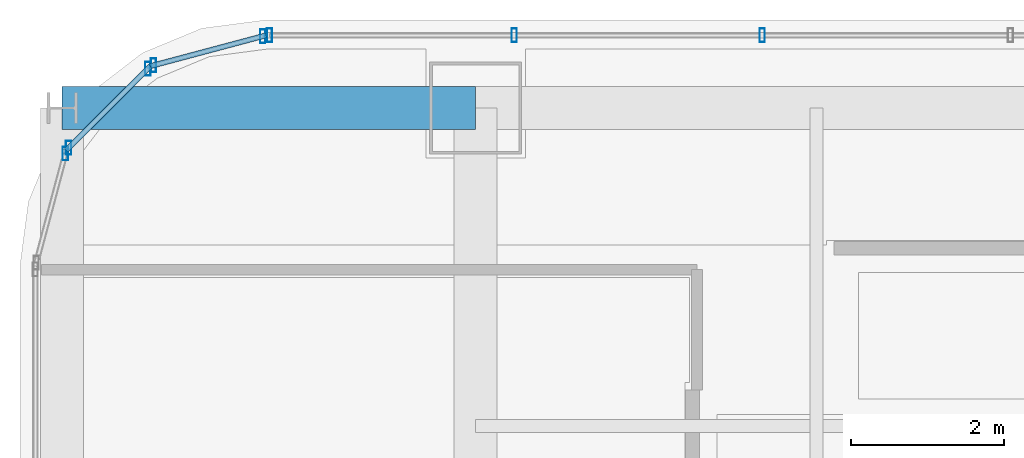
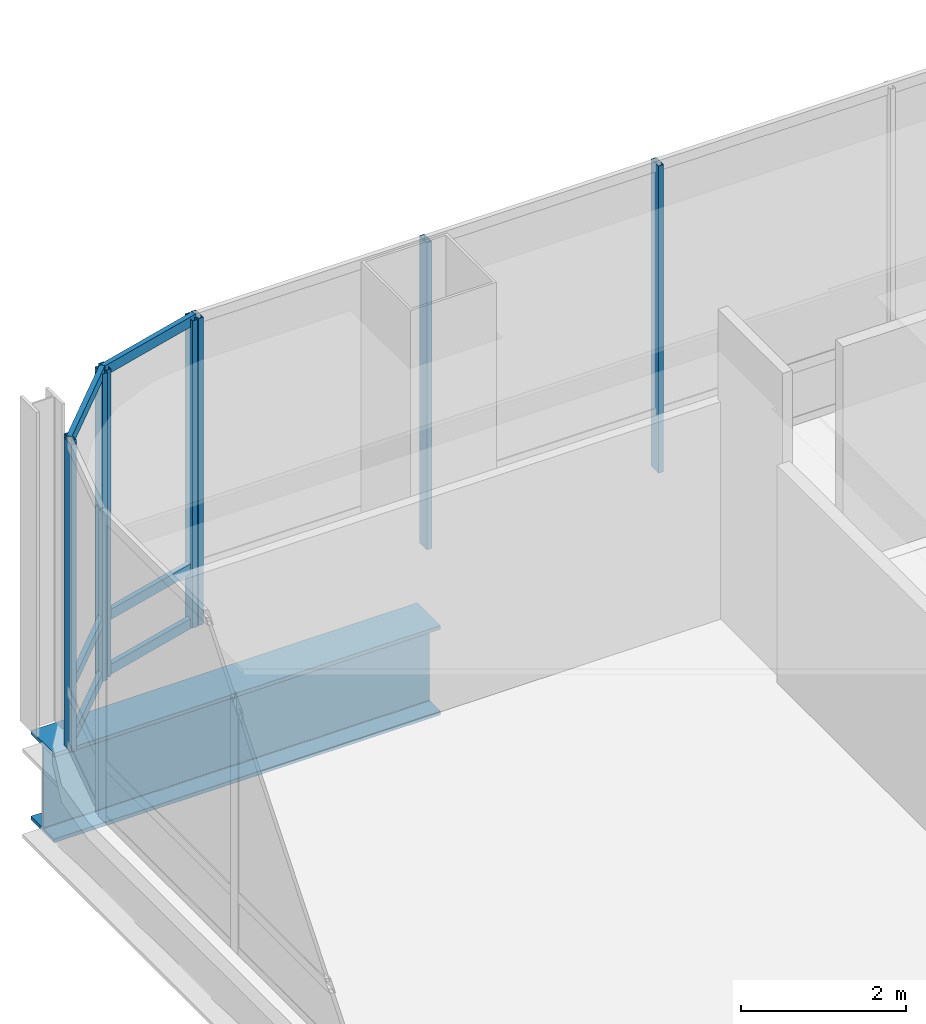
# One storey, part 25 of 44: 14 members, 1 beam, 4 elements without a shape of their own.
"""IFC4 building model written with IfcOpenShell, lengths in metres."""

import ifcopenshell
import ifcopenshell.guid

model = None  # the IFC model being written
_history = None  # IfcOwnerHistory: only IFC2X3 demands one
_inside = {}  # id of a spatial element -> (the spatial element, [elements in it])
_under = {}  # id of a project, library or spatial element -> (it, [spatial elements below it])
_declared = {}  # id of a project -> (the project, [libraries it declares])
_typed = {}  # id of a type object -> (the type object, [elements of that type])
_made_of = {}  # id of a material, layer set ... -> (it, [elements and type objects made of it])


def new_model(schema):
    """Start an empty IFC model of exactly this schema.

    Asked for "IFC4X3", IfcOpenShell would pick the latest addendum, in which some entities
    have other attributes; the version numbers below select the first issue.
    IFC2X3 requires an IfcOwnerHistory on every rooted entity: one is made here for all.
    """
    global model, _history
    if schema == "IFC4X3":
        model = ifcopenshell.file(schema_version=(4, 3, 0, 0))
    else:
        model = ifcopenshell.file(schema=schema)
    _inside.clear()
    _under.clear()
    _declared.clear()
    _typed.clear()
    _made_of.clear()
    _history = None
    if model.schema == "IFC2X3":
        org = make("IfcOrganization", Name="unknown")
        user = make(
            "IfcPersonAndOrganization",
            ThePerson=make("IfcPerson", FamilyName="unknown"),
            TheOrganization=org,
        )
        app = make(
            "IfcApplication",
            ApplicationDeveloper=org,
            Version="unknown",
            ApplicationFullName="unknown",
            ApplicationIdentifier="unknown",
        )
        _history = make(
            "IfcOwnerHistory",
            OwningUser=user,
            OwningApplication=app,
            ChangeAction="ADDED",
            CreationDate=0,
        )
    return model


def make(cls, **values):
    """One entity of the class cls with the attributes given. An attribute that is None is left unset."""
    return model.create_entity(
        cls, **{name: value for name, value in values.items() if value is not None}
    )


def rooted(cls, **values):
    """An entity with a GlobalId (a new one), such as an element, a storey or a relation."""
    return make(cls, GlobalId=ifcopenshell.guid.new(), OwnerHistory=_history, **values)


def si_unit(unit_type, name, prefix=None):
    """IfcSIUnit, for example si_unit("LENGTHUNIT", "METRE", prefix="MILLI")."""
    return make("IfcSIUnit", UnitType=unit_type, Prefix=prefix, Name=name)


def assignment(units):
    """IfcUnitAssignment: the units of a project."""
    return None if units is None else make("IfcUnitAssignment", Units=units)


def point(xyz):
    """IfcCartesianPoint."""
    return None if xyz is None else make("IfcCartesianPoint", Coordinates=xyz)


def direction(xyz):
    """IfcDirection."""
    return None if xyz is None else make("IfcDirection", DirectionRatios=xyz)


def frame(location, z_axis=None, x_axis=None):
    """IfcAxis2Placement3D, a coordinate frame: its origin and axes. An axis left out is left unset."""
    return make(
        "IfcAxis2Placement3D",
        Location=point(location),
        Axis=direction(z_axis),
        RefDirection=direction(x_axis),
    )


def frame_2d(location, x_axis=None):
    """IfcAxis2Placement2D, a coordinate frame in the plane: its origin and x axis."""
    return make(
        "IfcAxis2Placement2D", Location=point(location), RefDirection=direction(x_axis)
    )


def origin():
    """The frame at (0, 0, 0) with its axes left unset."""
    return frame((0.0, 0.0, 0.0))


def origin_2d():
    """The frame at (0, 0) in the plane with its x axis left unset."""
    return frame_2d((0.0, 0.0))


def place(relative_to, where):
    """IfcLocalPlacement: puts the frame where relative to a parent placement (None: the world)."""
    return make(
        "IfcLocalPlacement", PlacementRelTo=relative_to, RelativePlacement=where
    )


def context(
    kind, dimensions, precision=None, world=None, true_north=None, identifier=None
):
    """IfcGeometricRepresentationContext, for example the 3D "Model" context."""
    return make(
        "IfcGeometricRepresentationContext",
        ContextIdentifier=identifier,
        ContextType=kind,
        CoordinateSpaceDimension=dimensions,
        Precision=precision,
        WorldCoordinateSystem=world,
        TrueNorth=true_north,
    )


def subcontext(parent, identifier, kind, view, scale=None):
    """IfcGeometricRepresentationSubContext, for example "Body" below "Model"."""
    return make(
        "IfcGeometricRepresentationSubContext",
        ContextIdentifier=identifier,
        ContextType=kind,
        ParentContext=parent,
        TargetScale=scale,
        TargetView=view,
    )


def project(units=None, contexts=None):
    """IfcProject with its units and contexts."""
    return rooted(
        "IfcProject",
        Name="project",
        RepresentationContexts=contexts,
        UnitsInContext=assignment(units),
    )


def spatial(cls, under=None, at=None, **own):
    """A site, building, storey or space (cls), placed at a placement, below another one or the project."""
    s = rooted(cls, ObjectPlacement=at, **own)
    if under is not None:
        _under.setdefault(under.id(), (under, []))[1].append(s)
    return s


def profile(cls, at=None, kind="AREA", **sizes):
    """A parametric profile (cls). Its sizes go by their IFC names, for example OverallWidth=200.0."""
    return make(cls, ProfileType=kind, Position=at, **sizes)


def hollow_rectangle(**sizes):
    """IfcRectangleHollowProfileDef."""
    return profile("IfcRectangleHollowProfileDef", **sizes)


def i_section(**sizes):
    """IfcIShapeProfileDef."""
    return profile("IfcIShapeProfileDef", **sizes)


def extrude(swept, where, along, depth):
    """IfcExtrudedAreaSolid: the profile swept, set in the frame where, extruded along a direction by depth."""
    return make(
        "IfcExtrudedAreaSolid",
        SweptArea=swept,
        Position=where,
        ExtrudedDirection=direction(along),
        Depth=depth,
    )


def shape(context_of_items, identifier, shape_type, items):
    """IfcShapeRepresentation: the items that make up one representation, for example the "Body"."""
    return make(
        "IfcShapeRepresentation",
        ContextOfItems=context_of_items,
        RepresentationIdentifier=identifier,
        RepresentationType=shape_type,
        Items=items,
    )


def material(Name=None, Category=None):
    """IfcMaterial."""
    return make("IfcMaterial", Name=Name, Category=Category)


def material_profile(
    of_material, cross_section, Name=None, Category=None, Priority=None
):
    """IfcMaterialProfile: a cross section and its material."""
    return make(
        "IfcMaterialProfile",
        Name=Name,
        Material=of_material,
        Profile=cross_section,
        Priority=Priority,
        Category=Category,
    )


def profile_set(profiles, Name=None, composite=None):
    """IfcMaterialProfileSet."""
    return make(
        "IfcMaterialProfileSet",
        Name=Name,
        MaterialProfiles=profiles,
        CompositeProfile=composite,
    )


def made_of(thing, what):
    """Note that an element or type object is made of a material, layer set ...; save() writes the relation."""
    if what is not None:
        _made_of.setdefault(what.id(), (what, []))[1].append(thing)
    return thing


def type_object(cls, material=None, **own):
    """A type object (cls), such as IfcWallType, which elements share."""
    return made_of(rooted(cls, **own), material)


def element(
    cls,
    number,
    at=None,
    inside=None,
    cuts=None,
    type_object=None,
    material=None,
    context=None,
    identifier="Body",
    shape_type=None,
    held_by="IfcProductDefinitionShape",
    body=None,
    shapes=None,
    **own,
):
    """One element of the class cls, such as IfcWall. Its Tag is "e" and its number.

    at: its placement. inside: the storey or other place that contains it. cuts: it is an
    opening in that element (IfcRelVoidsElement). A single representation is given by context,
    identifier, shape_type and body (its items); several are given by shapes. held_by: the class
    of the entity that holds the representations. save() writes the other relations.
    """
    e = rooted(cls, Tag="e%d" % number, ObjectPlacement=at, **own)
    if body is not None:
        shapes = [shape(context, identifier, shape_type, body)]
    if shapes is not None:
        e.Representation = make(held_by, Representations=shapes)
    if inside is not None:
        _inside.setdefault(inside.id(), (inside, []))[1].append(e)
    if cuts is not None:
        rooted(
            "IfcRelVoidsElement", RelatingBuildingElement=cuts, RelatedOpeningElement=e
        )
    if type_object is not None:
        _typed.setdefault(type_object.id(), (type_object, []))[1].append(e)
    return made_of(e, material)


def aggregate(whole, parts):
    """IfcRelAggregates: a whole, such as a stair, and the parts it consists of."""
    return rooted("IfcRelAggregates", RelatingObject=whole, RelatedObjects=parts)


def save(model, path):
    """Write the relations noted so far, then the file.

    IfcRelAggregates (storeys below a building ...), IfcRelContainedInSpatialStructure (elements
    in a storey), IfcRelDefinesByType, IfcRelAssociatesMaterial and IfcRelDeclares: one each for
    every whole, place, type object, material and project.
    """
    for whole, parts in _under.values():
        aggregate(whole, parts)
    for where, things in _inside.values():
        rooted(
            "IfcRelContainedInSpatialStructure",
            RelatedElements=things,
            RelatingStructure=where,
        )
    for kind, things in _typed.values():
        rooted("IfcRelDefinesByType", RelatedObjects=things, RelatingType=kind)
    for what, things in _made_of.values():
        rooted("IfcRelAssociatesMaterial", RelatedObjects=things, RelatingMaterial=what)
    for by, libraries in _declared.values():
        rooted("IfcRelDeclares", RelatingContext=by, RelatedDefinitions=libraries)
    model.write(path)


model = new_model("IFC4")

# Units and contexts
model_context = context("Model", 3, precision=1e-05, world=origin(), true_north=direction((0.0, 1.0)))
body_context = subcontext(model_context, "Body", "Model", "MODEL_VIEW")
ifc_project = project(units=[si_unit("LENGTHUNIT", "METRE"), si_unit("AREAUNIT", "SQUARE_METRE"), si_unit("VOLUMEUNIT", "CUBIC_METRE"), si_unit("PLANEANGLEUNIT", "RADIAN"), si_unit("MASSUNIT", "GRAM", prefix="KILO")], contexts=[model_context])

# Site, building, storey
site_placement = place(None, origin())
site = spatial("IfcSite", under=ifc_project, at=site_placement, CompositionType="ELEMENT")
building_placement = place(site_placement, origin())
building = spatial("IfcBuilding", under=site, at=building_placement, Name="Punatoya Terracotta Tower", CompositionType="ELEMENT")
storey_placement = place(building_placement, frame((0.0, 0.0, 334.199951171875)))
storey = spatial("IfcBuildingStorey", under=building, at=storey_placement, Name="L79", CompositionType="ELEMENT", Elevation=334.199951171875)

# Beam
ifc_material_1 = material(Name="Steel S460", Category="steel")
ifc_material_profile_1 = material_profile(ifc_material_1, i_section(OverallWidth=0.56005859375, OverallDepth=1.320068359375, WebThickness=0.035888671875, FlangeThickness=0.054931640625, FilletRadius=0.01806640625, at=origin_2d()))
ifc_profile_set_1 = profile_set([ifc_material_profile_1], Name="Steel S460")
beam_type = type_object("IfcBeamType", Name="BM-TG-BLK", PredefinedType="BEAM", material=ifc_profile_set_1)
beam_placement = place(storey_placement, frame((-24.5, 17.5, -0.919921875), z_axis=(1.0, 0.0, 0.0), x_axis=(0.0, 1.0, 0.0)))
element("IfcBeam", 1, at=beam_placement, inside=storey, type_object=beam_type, Name="BM-L79-CANT-W4", PredefinedType="BEAM", context=body_context, shape_type="SweptSolid", body=[
    extrude(i_section(OverallWidth=0.56005859375, OverallDepth=1.320068359375, WebThickness=0.035888671875, FlangeThickness=0.054931640625, FilletRadius=0.01806640625, at=origin_2d()), origin(), (0.0, 0.0, 1.0), 5.39990234375),
])

# Curtain wall, members
ifc_material_2 = material(Name="Aluminium 6063-T6 + Double Low-E Glass", Category="aluminium")
curtain_wall_type = type_object("IfcCurtainWallType", Name="CW-OBS", PredefinedType="NOTDEFINED", material=ifc_material_2)
curtain_wall_1_placement = place(storey_placement, origin())
curtain_wall_1 = element("IfcCurtainWall", 2, at=curtain_wall_1_placement, inside=storey, type_object=curtain_wall_type, Name="L79 Curtain Wall CW-L79-N14-1", PredefinedType="NOTDEFINED")
ifc_material_3 = material(Name="Aluminium 6063-T6", Category="aluminium")
ifc_material_profile_2 = material_profile(ifc_material_3, hollow_rectangle(XDim=0.070068359375, YDim=0.179931640625, WallThickness=0.00390625, at=origin_2d()))
ifc_profile_set_2 = profile_set([ifc_material_profile_2], Name="Aluminium 6063-T6")
member_type_1 = type_object("IfcMemberType", Name="CW-MUL-M3", PredefinedType="MULLION", material=ifc_profile_set_2)
member_1_placement = place(storey_placement, frame((-15.35791015625, 18.449951171875, 0.0), z_axis=(0.0, 0.0, 1.0), x_axis=(1.0, 0.0, 0.0)))
member_1 = element("IfcMember", 3, at=member_1_placement, type_object=member_type_1, Name="CW-L79-N14-1 Mullion 10", PredefinedType="MULLION", context=body_context, shape_type="SweptSolid", body=[
    extrude(hollow_rectangle(XDim=0.070068359375, YDim=0.179931640625, WallThickness=0.00390625, at=origin_2d()), origin(), (0.0, 0.0, 1.0), 4.5400390625),
])
member_2_placement = place(storey_placement, frame((-18.597412109375, 18.449951171875, 0.0), z_axis=(0.0, 0.0, 1.0), x_axis=(1.0, 0.0, 0.0)))
member_2 = element("IfcMember", 4, at=member_2_placement, type_object=member_type_1, Name="CW-L79-N14-1 Mullion 11", PredefinedType="MULLION", context=body_context, shape_type="SweptSolid", body=[
    extrude(hollow_rectangle(XDim=0.070068359375, YDim=0.179931640625, WallThickness=0.00390625, at=origin_2d()), origin(), (0.0, 0.0, 1.0), 4.5400390625),
])
member_3_placement = place(storey_placement, frame((-21.7919921875, 18.449951171875, 0.0), z_axis=(0.0, 0.0, 1.0), x_axis=(1.0, 0.0, 0.0)))
member_3 = element("IfcMember", 5, at=member_3_placement, type_object=member_type_1, Name="CW-L79-N14-1 Mullion 12", PredefinedType="MULLION", context=body_context, shape_type="SweptSolid", body=[
    extrude(hollow_rectangle(XDim=0.070068359375, YDim=0.179931640625, WallThickness=0.00390625, at=origin_2d()), origin(), (0.0, 0.0, 1.0), 4.5400390625),
])
aggregate(curtain_wall_1, [member_1, member_2, member_3])

curtain_wall_2_placement = place(storey_placement, origin())
curtain_wall_2 = element("IfcCurtainWall", 6, at=curtain_wall_2_placement, inside=storey, type_object=curtain_wall_type, Name="L79 Curtain Wall CW-L79-CRN15", PredefinedType="NOTDEFINED")
member_4_placement = place(storey_placement, frame((-21.88037109375, 18.4384765625, 0.0), z_axis=(0.0, 0.0, 1.0), x_axis=(1.0, 0.0, 0.0)))
member_4 = element("IfcMember", 7, at=member_4_placement, type_object=member_type_1, Name="CW-L79-CRN15 Mullion 00", PredefinedType="MULLION", context=body_context, shape_type="SweptSolid", body=[
    extrude(hollow_rectangle(XDim=0.070068359375, YDim=0.179931640625, WallThickness=0.00390625, at=origin_2d()), origin(), (0.0, 0.0, 1.0), 4.5400390625),
])
member_5_placement = place(storey_placement, frame((-23.3056640625, 18.05810546875, 0.0), z_axis=(0.0, 0.0, 1.0), x_axis=(1.0, 0.0, 0.0)))
member_5 = element("IfcMember", 8, at=member_5_placement, type_object=member_type_1, Name="CW-L79-CRN15 Mullion 01", PredefinedType="MULLION", context=body_context, shape_type="SweptSolid", body=[
    extrude(hollow_rectangle(XDim=0.070068359375, YDim=0.179931640625, WallThickness=0.00390625, at=origin_2d()), origin(), (0.0, 0.0, 1.0), 4.5400390625),
])

curtain_wall_3_placement = place(storey_placement, origin())
curtain_wall_3 = element("IfcCurtainWall", 9, at=curtain_wall_3_placement, inside=storey, type_object=curtain_wall_type, Name="L79 Curtain Wall CW-L79-CRN16", PredefinedType="NOTDEFINED")
member_6_placement = place(storey_placement, frame((-23.380859375, 18.014892578125, 0.0), z_axis=(0.0, 0.0, 1.0), x_axis=(1.0, 0.0, 0.0)))
member_6 = element("IfcMember", 10, at=member_6_placement, type_object=member_type_1, Name="CW-L79-CRN16 Mullion 00", PredefinedType="MULLION", context=body_context, shape_type="SweptSolid", body=[
    extrude(hollow_rectangle(XDim=0.070068359375, YDim=0.179931640625, WallThickness=0.00390625, at=origin_2d()), origin(), (0.0, 0.0, 1.0), 4.5400390625),
])
member_7_placement = place(storey_placement, frame((-24.414794921875, 16.98095703125, 0.0), z_axis=(0.0, 0.0, 1.0), x_axis=(1.0, 0.0, 0.0)))
member_7 = element("IfcMember", 11, at=member_7_placement, type_object=member_type_1, Name="CW-L79-CRN16 Mullion 01", PredefinedType="MULLION", context=body_context, shape_type="SweptSolid", body=[
    extrude(hollow_rectangle(XDim=0.070068359375, YDim=0.179931640625, WallThickness=0.00390625, at=origin_2d()), origin(), (0.0, 0.0, 1.0), 4.5400390625),
])

# Curtain wall, member
curtain_wall_4_placement = place(storey_placement, origin())
curtain_wall_4 = element("IfcCurtainWall", 12, at=curtain_wall_4_placement, inside=storey, type_object=curtain_wall_type, Name="L79 Curtain Wall CW-L79-CRN17", PredefinedType="NOTDEFINED")
member_8_placement = place(storey_placement, frame((-24.458251953125, 16.905517578125, 0.0), z_axis=(0.0, 0.0, 1.0), x_axis=(1.0, 0.0, 0.0)))
member_8 = element("IfcMember", 13, at=member_8_placement, type_object=member_type_1, Name="CW-L79-CRN17 Mullion 00", PredefinedType="MULLION", context=body_context, shape_type="SweptSolid", body=[
    extrude(hollow_rectangle(XDim=0.070068359375, YDim=0.179931640625, WallThickness=0.00390625, at=origin_2d()), origin(), (0.0, 0.0, 1.0), 4.5400390625),
])
aggregate(curtain_wall_4, [member_8])

# Member
ifc_material_profile_3 = material_profile(ifc_material_3, hollow_rectangle(XDim=0.068115234375, YDim=0.14990234375, WallThickness=0.00390625, at=origin_2d()))
ifc_profile_set_3 = profile_set([ifc_material_profile_3], Name="Aluminium 6063-T6")
member_type_2 = type_object("IfcMemberType", Name="CW-TRN-TYP", PredefinedType="USERDEFINED", material=ifc_profile_set_3)
member_9_placement = place(storey_placement, frame((-21.8369140625, 18.449951171875, 0.0400390625), z_axis=(-0.966224582397, -0.257701486942, 0.0), x_axis=(0.257701486942, -0.966224582397, 0.0)))
member_9 = element("IfcMember", 14, at=member_9_placement, type_object=member_type_2, Name="CW-L79-CRN15 Transom 1", ObjectType="TRANSOM", PredefinedType="USERDEFINED", context=body_context, shape_type="SweptSolid", body=[
    extrude(hollow_rectangle(XDim=0.068115234375, YDim=0.14990234375, WallThickness=0.00390625, at=origin_2d()), origin(), (0.0, 0.0, 1.0), 1.565185546875),
])

member_10_placement = place(storey_placement, frame((-21.8369140625, 18.449951171875, 0.85009765625), z_axis=(-0.966224582397, -0.257701486942, 0.0), x_axis=(0.257701486942, -0.966224582397, 0.0)))
member_10 = element("IfcMember", 15, at=member_10_placement, type_object=member_type_2, Name="CW-L79-CRN15 Transom 2", ObjectType="TRANSOM", PredefinedType="USERDEFINED", context=body_context, shape_type="SweptSolid", body=[
    extrude(hollow_rectangle(XDim=0.068115234375, YDim=0.14990234375, WallThickness=0.00390625, at=origin_2d()), origin(), (0.0, 0.0, 1.0), 1.565185546875),
])

member_11_placement = place(storey_placement, frame((-21.8369140625, 18.449951171875, 4.5), z_axis=(-0.966224582397, -0.257701486942, 0.0), x_axis=(0.257701486942, -0.966224582397, 0.0)))
member_11 = element("IfcMember", 16, at=member_11_placement, type_object=member_type_2, Name="CW-L79-CRN15 Transom 3", ObjectType="TRANSOM", PredefinedType="USERDEFINED", context=body_context, shape_type="SweptSolid", body=[
    extrude(hollow_rectangle(XDim=0.068115234375, YDim=0.14990234375, WallThickness=0.00390625, at=origin_2d()), origin(), (0.0, 0.0, 1.0), 1.565185546875),
])

aggregate(curtain_wall_2, [member_4, member_5, member_9, member_10, member_11])

member_12_placement = place(storey_placement, frame((-23.34912109375, 18.046630859375, 0.0400390625), z_axis=(-0.707106781187, -0.707106781187, 0.0), x_axis=(0.707106781187, -0.707106781187, 0.0)))
member_12 = element("IfcMember", 17, at=member_12_placement, type_object=member_type_2, Name="CW-L79-CRN16 Transom 1", ObjectType="TRANSOM", PredefinedType="USERDEFINED", context=body_context, shape_type="SweptSolid", body=[
    extrude(hollow_rectangle(XDim=0.068115234375, YDim=0.14990234375, WallThickness=0.00390625, at=origin_2d()), origin(), (0.0, 0.0, 1.0), 1.552001953125),
])

member_13_placement = place(storey_placement, frame((-23.34912109375, 18.046630859375, 0.85009765625), z_axis=(-0.707106781187, -0.707106781187, 0.0), x_axis=(0.707106781187, -0.707106781187, 0.0)))
member_13 = element("IfcMember", 18, at=member_13_placement, type_object=member_type_2, Name="CW-L79-CRN16 Transom 2", ObjectType="TRANSOM", PredefinedType="USERDEFINED", context=body_context, shape_type="SweptSolid", body=[
    extrude(hollow_rectangle(XDim=0.068115234375, YDim=0.14990234375, WallThickness=0.00390625, at=origin_2d()), origin(), (0.0, 0.0, 1.0), 1.552001953125),
])

member_14_placement = place(storey_placement, frame((-23.34912109375, 18.046630859375, 4.5), z_axis=(-0.707106781187, -0.707106781187, 0.0), x_axis=(0.707106781187, -0.707106781187, 0.0)))
member_14 = element("IfcMember", 19, at=member_14_placement, type_object=member_type_2, Name="CW-L79-CRN16 Transom 3", ObjectType="TRANSOM", PredefinedType="USERDEFINED", context=body_context, shape_type="SweptSolid", body=[
    extrude(hollow_rectangle(XDim=0.068115234375, YDim=0.14990234375, WallThickness=0.00390625, at=origin_2d()), origin(), (0.0, 0.0, 1.0), 1.552001953125),
])

aggregate(curtain_wall_3, [member_6, member_7, member_12, member_13, member_14])

save(model, "model.ifc")
